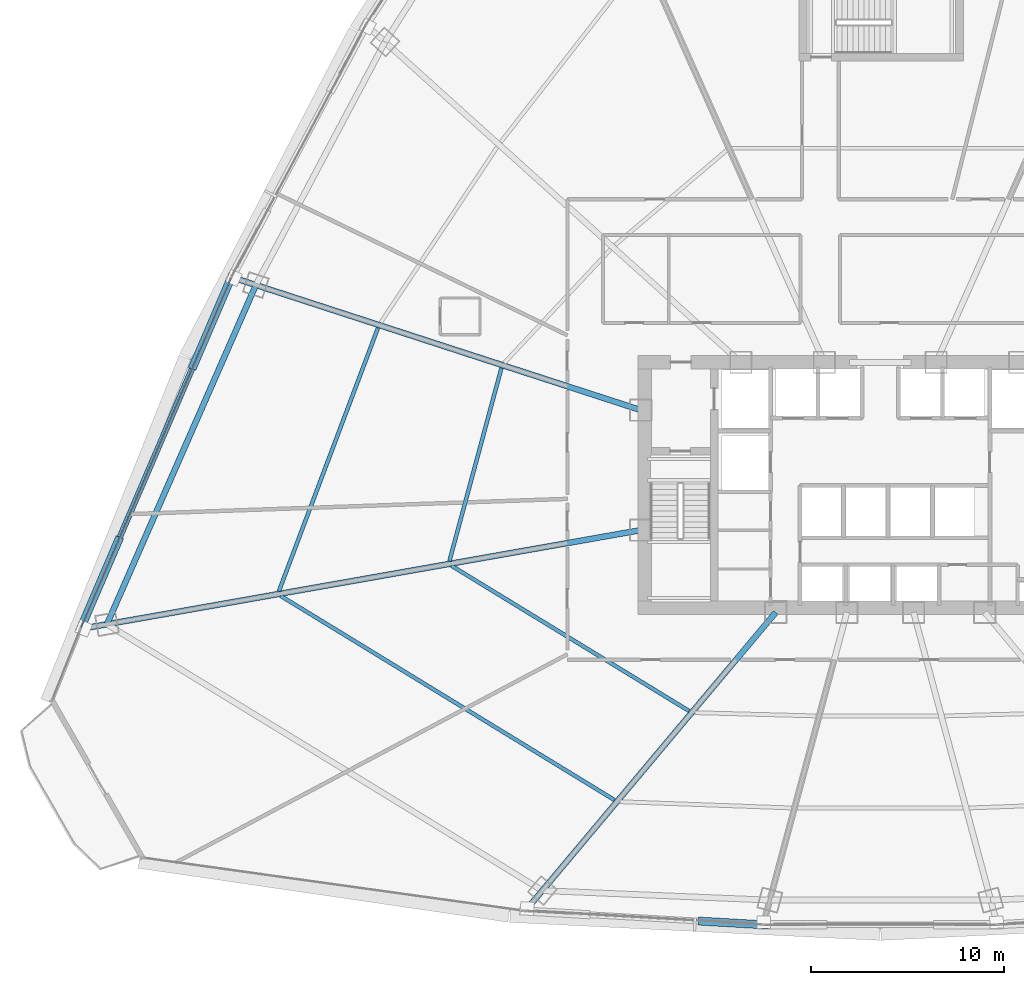
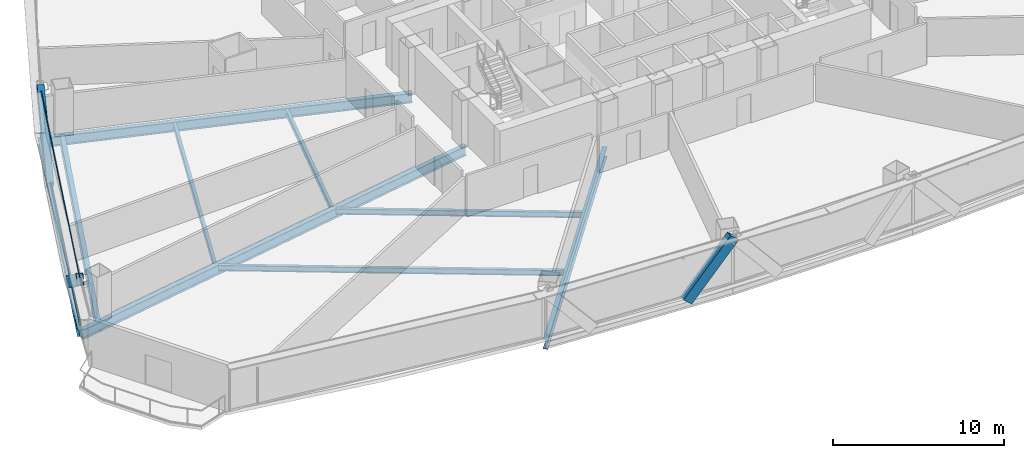
# One storey, part 7 of 37: 9 beams, 5 members, 1 element without a shape of its own.
"""IFC4 building model written with IfcOpenShell, lengths in metres."""

from ifc_helpers import new_model, si_unit, direction, frame, origin, origin_2d, place, context, subcontext, project, spatial, hollow_rectangle, i_section, extrude, source, transform, mapped, material, layer, layer_set, material_profile, profile_set, type_object, element, aggregate, save


model = new_model("IFC4")

# Units and contexts
model_context = context("Model", 3, precision=1e-05, world=origin(), true_north=direction((0.0, 1.0)))
body_context = subcontext(model_context, "Body", "Model", "MODEL_VIEW")
ifc_project = project(units=[si_unit("LENGTHUNIT", "METRE"), si_unit("AREAUNIT", "SQUARE_METRE"), si_unit("VOLUMEUNIT", "CUBIC_METRE"), si_unit("PLANEANGLEUNIT", "RADIAN"), si_unit("MASSUNIT", "GRAM", prefix="KILO"), si_unit("THERMODYNAMICTEMPERATUREUNIT", "KELVIN"), si_unit("POWERUNIT", "WATT")], contexts=[model_context])

# Site, building, storey
site_placement = place(None, origin())
site = spatial("IfcSite", under=ifc_project, at=site_placement, CompositionType="ELEMENT")
building_placement = place(site_placement, origin())
building = spatial("IfcBuilding", under=site, at=building_placement, Name="Yunzhuo Pagoda Commons", CompositionType="ELEMENT")
storey_placement = place(building_placement, frame((0.0, 0.0, 59.43994140625)))
storey = spatial("IfcBuildingStorey", under=building, at=storey_placement, Name="L15", CompositionType="ELEMENT", Elevation=59.43994140625)

# Beams
ifc_material_1 = material(Name="Structural steel Q355B", Category="steel")
ifc_material_profile_1 = material_profile(ifc_material_1, i_section(OverallWidth=0.300048828125, OverallDepth=0.699951171875, WebThickness=0.012939453125, FlangeThickness=0.02392578125, at=origin_2d()), Name="Structural steel Q355B")
ifc_profile_set_1 = profile_set([ifc_material_profile_1], Name="Structural steel Q355B")
beam_type_1 = type_object("IfcBeamType", Name="B-RG1 Beam HN 700x300x13x24", PredefinedType="BEAM", material=ifc_profile_set_1)
shared_shape_1 = source(origin(), body_context, "Body", "SweptSolid", [
    extrude(i_section(OverallWidth=0.300048828125, OverallDepth=0.699951171875, WebThickness=0.012939453125, FlangeThickness=0.02392578125, at=origin_2d()), origin(), (0.0, 0.0, 1.0), 19.18603515625),
])
beam_1_placement = place(storey_placement, frame((15.66455078125, 44.206298828125, -0.60986328125), z_axis=(-0.40196534204, -0.915654882474, 0.0), x_axis=(0.915654882474, -0.40196534204, 0.0)))
element("IfcBeam", 1, at=beam_1_placement, inside=storey, type_object=beam_type_1, Name="L15 column-ring beam 11", PredefinedType="BEAM", context=body_context, shape_type="MappedRepresentation", body=[
    mapped(shared_shape_1, transform((0.0, 0.0, 0.0), scale=1.0)),
])
ifc_material_profile_2 = material_profile(ifc_material_1, i_section(OverallWidth=0.199951171875, OverallDepth=0.39990234375, WebThickness=0.008056640625, FlangeThickness=0.012939453125, at=origin_2d()), Name="Structural steel Q355B")
ifc_profile_set_2 = profile_set([ifc_material_profile_2], Name="Structural steel Q355B")
beam_type_2 = type_object("IfcBeamType", Name="B-JS1 Joist HN 400x200x8x13", PredefinedType="JOIST", material=ifc_profile_set_2)
shared_shape_2 = source(origin(), body_context, "Body", "SweptSolid", [
    extrude(i_section(OverallWidth=0.199951171875, OverallDepth=0.39990234375, WebThickness=0.008056640625, FlangeThickness=0.012939453125, at=origin_2d()), origin(), (0.0, 0.0, 1.0), 14.4365234375),
])
beam_2_placement = place(storey_placement, frame((25.782470703125, 29.675537109375, -0.459716796875), z_axis=(0.85325633277, -0.521491735876, 0.0), x_axis=(0.521491735876, 0.85325633277, 0.0)))
element("IfcBeam", 2, at=beam_2_placement, inside=storey, type_object=beam_type_2, Name="L15 composite ring joist 1.12", PredefinedType="JOIST", context=body_context, shape_type="MappedRepresentation", body=[
    mapped(shared_shape_2, transform((0.0, 0.0, 0.0), scale=1.0)),
])
shared_shape_3 = source(origin(), body_context, "Body", "SweptSolid", [
    extrude(i_section(OverallWidth=0.199951171875, OverallDepth=0.39990234375, WebThickness=0.008056640625, FlangeThickness=0.012939453125, at=origin_2d()), origin(), (0.0, 0.0, 1.0), 20.275634765625),
])
beam_3_placement = place(storey_placement, frame((16.935302734375, 28.11572265625, -0.459716796875), z_axis=(0.853102898066, -0.521742700295, 0.0), x_axis=(0.521742700295, 0.853102898066, 0.0)))
element("IfcBeam", 3, at=beam_3_placement, inside=storey, type_object=beam_type_2, Name="L15 composite ring joist 2.12", PredefinedType="JOIST", context=body_context, shape_type="MappedRepresentation", body=[
    mapped(shared_shape_3, transform((0.0, 0.0, 0.0), scale=1.0)),
])
shared_shape_4 = source(origin(), body_context, "Body", "SweptSolid", [
    extrude(i_section(OverallWidth=0.199951171875, OverallDepth=0.39990234375, WebThickness=0.008056640625, FlangeThickness=0.012939453125, at=origin_2d()), origin(), (0.0, 0.0, 1.0), 10.351806640625),
])
beam_4_placement = place(storey_placement, frame((28.3818359375, 39.9072265625, -0.459716796875), z_axis=(-0.260208595802, -0.965552425646, 0.0), x_axis=(0.965552425646, -0.260208595802, 0.0)))
element("IfcBeam", 4, at=beam_4_placement, inside=storey, type_object=beam_type_2, Name="L15 composite ring joist 1.11", PredefinedType="JOIST", context=body_context, shape_type="MappedRepresentation", body=[
    mapped(shared_shape_4, transform((0.0, 0.0, 0.0), scale=1.0)),
])
shared_shape_5 = source(origin(), body_context, "Body", "SweptSolid", [
    extrude(i_section(OverallWidth=0.199951171875, OverallDepth=0.39990234375, WebThickness=0.008056640625, FlangeThickness=0.012939453125, at=origin_2d()), origin(), (0.0, 0.0, 1.0), 14.571044921875),
])
beam_5_placement = place(storey_placement, frame((21.98779296875, 41.98486328125, -0.459716796875), z_axis=(-0.352208383632, -0.935921607027, 0.0), x_axis=(0.935921607027, -0.352208383632, 0.0)))
element("IfcBeam", 5, at=beam_5_placement, inside=storey, type_object=beam_type_2, Name="L15 composite ring joist 2.11", PredefinedType="JOIST", context=body_context, shape_type="MappedRepresentation", body=[
    mapped(shared_shape_5, transform((0.0, 0.0, 0.0), scale=1.0)),
])
shared_shape_6 = source(origin(), body_context, "Body", "SweptSolid", [
    extrude(i_section(OverallWidth=0.300048828125, OverallDepth=0.699951171875, WebThickness=0.012939453125, FlangeThickness=0.02392578125, at=origin_2d()), origin(), (0.0, 0.0, 1.0), 20.031005859375),
])
beam_6_placement = place(storey_placement, frame((29.712158203125, 11.9052734375, -0.60986328125), z_axis=(0.642786965849, 0.766044983362, 0.0), x_axis=(-0.766044983362, 0.642786965849, 0.0)))
element("IfcBeam", 6, at=beam_6_placement, inside=storey, type_object=beam_type_1, Name="L15 radial floor girder F1C1", PredefinedType="BEAM", context=body_context, shape_type="MappedRepresentation", body=[
    mapped(shared_shape_6, transform((0.0, 0.0, 0.0), scale=1.0)),
])
shared_shape_7 = source(origin(), body_context, "Body", "SweptSolid", [
    extrude(i_section(OverallWidth=0.300048828125, OverallDepth=0.699951171875, WebThickness=0.012939453125, FlangeThickness=0.02392578125, at=origin_2d()), origin(), (0.0, 0.0, 1.0), 29.313232421875),
])
beam_7_placement = place(storey_placement, frame((6.732177734375, 26.42333984375, -0.60986328125), z_axis=(0.984808367131, 0.173644694792, 0.0), x_axis=(-0.173644694792, 0.984808367131, 0.0)))
element("IfcBeam", 7, at=beam_7_placement, inside=storey, type_object=beam_type_1, Name="L15 radial floor girder F3C4", PredefinedType="BEAM", context=body_context, shape_type="MappedRepresentation", body=[
    mapped(shared_shape_7, transform((0.0, 0.0, 0.0), scale=1.0)),
])
shared_shape_8 = source(origin(), body_context, "Body", "SweptSolid", [
    extrude(i_section(OverallWidth=0.300048828125, OverallDepth=0.699951171875, WebThickness=0.012939453125, FlangeThickness=0.02392578125, at=origin_2d()), origin(), (0.0, 0.0, 1.0), 22.139404296875),
])
beam_8_placement = place(storey_placement, frame((14.54443359375, 44.570556640625, -0.60986328125), z_axis=(0.951054488387, -0.309023235565, 0.0), x_axis=(0.309023235565, 0.951054488387, 0.0)))
element("IfcBeam", 8, at=beam_8_placement, inside=storey, type_object=beam_type_1, Name="L15 radial floor girder F3C3", PredefinedType="BEAM", context=body_context, shape_type="MappedRepresentation", body=[
    mapped(shared_shape_8, transform((0.0, 0.0, 0.0), scale=1.0)),
])
ifc_material_profile_3 = material_profile(ifc_material_1, i_section(OverallWidth=0.300048828125, OverallDepth=0.488037109375, WebThickness=0.010986328125, FlangeThickness=0.01806640625, at=origin_2d()), Name="Structural steel Q355B")
ifc_profile_set_3 = profile_set([ifc_material_profile_3], Name="Structural steel Q355B")
beam_type_3 = type_object("IfcBeamType", Name="B-SP1 Beam HM 488x300x11x18", PredefinedType="BEAM", material=ifc_profile_set_3)
shared_shape_9 = source(origin(), body_context, "Body", "SweptSolid", [
    extrude(i_section(OverallWidth=0.300048828125, OverallDepth=0.488037109375, WebThickness=0.010986328125, FlangeThickness=0.01806640625, at=origin_2d()), origin(), (0.0, 0.0, 1.0), 19.828125),
])
beam_9_placement = place(storey_placement, frame((14.397216796875, 44.618408203125, -0.50390625), z_axis=(-0.394280372783, -0.918990199969, 0.0), x_axis=(0.918990199969, -0.394280372783, 0.0)))
element("IfcBeam", 9, at=beam_9_placement, inside=storey, type_object=beam_type_3, Name="L15 facade edge spandrel beam F3.3", PredefinedType="BEAM", context=body_context, shape_type="MappedRepresentation", body=[
    mapped(shared_shape_9, transform((0.0, 0.0, 0.0), scale=1.0)),
])

# Members
ifc_material_2 = material(Name="Structural steel Q420B", Category="steel")
ifc_material_profile_4 = material_profile(ifc_material_2, hollow_rectangle(XDim=0.419921875, YDim=0.719970703125, WallThickness=0.028076171875, at=origin_2d()), Name="Structural steel Q420B")
ifc_profile_set_4 = profile_set([ifc_material_profile_4], Name="Structural steel Q420B")
member_type_1 = type_object("IfcMemberType", Name="M-DL1 Brace BOX 720x420x28", PredefinedType="BRACE", material=ifc_profile_set_4)
shared_shape_10 = source(origin(), body_context, "Body", "SweptSolid", [
    extrude(hollow_rectangle(XDim=0.419921875, YDim=0.719970703125, WallThickness=0.028076171875, at=origin_2d()), origin(), (0.0, 0.0, 1.0), 4.764892578125),
])
member_1_placement = place(storey_placement, frame((38.856201171875, 11.2529296875, -0.260009765625), z_axis=(0.646670053051, -0.037403465552, 0.7618522319), x_axis=(0.057743598436, 0.998331446384, 0.0)))
element("IfcMember", 10, at=member_1_placement, inside=storey, type_object=member_type_1, Name="L15 facade diamond brace F1.1R", PredefinedType="BRACE", context=body_context, shape_type="MappedRepresentation", body=[
    mapped(shared_shape_10, transform((0.0, 0.0, 0.0), scale=1.0)),
])
shared_shape_11 = source(origin(), body_context, "Body", "SweptSolid", [
    extrude(hollow_rectangle(XDim=0.419921875, YDim=0.719970703125, WallThickness=0.028076171875, at=origin_2d()), origin(), (0.0, 0.0, 1.0), 6.14404296875),
])
member_2_placement = place(storey_placement, frame((8.53369140625, 30.951904296875, -0.260009765625), z_axis=(-0.318088420968, -0.741438082054, 0.590837817786), x_axis=(0.918997208693, -0.394264036421, 0.0)))
element("IfcMember", 11, at=member_2_placement, inside=storey, type_object=member_type_1, Name="L15 facade diamond brace F3.3R", PredefinedType="BRACE", context=body_context, shape_type="MappedRepresentation", body=[
    mapped(shared_shape_11, transform((0.0, 0.0, 0.0), scale=1.0)),
])
shared_shape_12 = source(origin(), body_context, "Body", "SweptSolid", [
    extrude(hollow_rectangle(XDim=0.419921875, YDim=0.719970703125, WallThickness=0.028076171875, at=origin_2d()), origin(), (0.0, 0.0, 1.0), 6.144287109375),
])
member_3_placement = place(storey_placement, frame((12.442626953125, 40.062744140625, -0.260009765625), z_axis=(0.318114763832, 0.741446601688, 0.590812943221), x_axis=(-0.918987019577, 0.39428778557, 0.0)))
element("IfcMember", 12, at=member_3_placement, inside=storey, type_object=member_type_1, Name="L15 facade diamond brace F3.3L", PredefinedType="BRACE", context=body_context, shape_type="MappedRepresentation", body=[
    mapped(shared_shape_12, transform((0.0, 0.0, 0.0), scale=1.0)),
])

# Curtain wall, members
ifc_material_3 = material(Name="Anodized aluminium 6063-T6", Category="aluminium")
ifc_layer = layer(ifc_material_3, 0.1650390625)
ifc_layer_set = layer_set([ifc_layer], Name="Anodized aluminium 6063-T6")
curtain_wall_type = type_object("IfcCurtainWallType", Name="CW-LOW Low-Zone Ribbon Curtain Wall", PredefinedType="NOTDEFINED", material=ifc_layer_set)
curtain_wall_placement = place(storey_placement, origin())
curtain_wall = element("IfcCurtainWall", 13, at=curtain_wall_placement, inside=storey, type_object=curtain_wall_type, Name="L15 curtain wall CW-L15-F3B4", PredefinedType="NOTDEFINED")
ifc_material_profile_5 = material_profile(ifc_material_3, hollow_rectangle(XDim=0.06005859375, YDim=0.139892578125, WallThickness=0.00341796875, at=origin_2d()), Name="Anodized aluminium 6063-T6")
ifc_profile_set_5 = profile_set([ifc_material_profile_5], Name="Anodized aluminium 6063-T6")
member_type_2 = type_object("IfcMemberType", Name="CW-LOW-T Transom RHS 140x60x3.5", PredefinedType="USERDEFINED", material=ifc_profile_set_5)
shared_shape_13 = source(origin(), body_context, "Body", "SweptSolid", [
    extrude(hollow_rectangle(XDim=0.06005859375, YDim=0.139892578125, WallThickness=0.00341796875, at=origin_2d()), origin(), (0.0, 0.0, 1.0), 19.6982421875),
])
member_4_placement = place(storey_placement, frame((14.37158203125, 44.55859375, 0.030029296875), z_axis=(-0.39426780009, -0.918995594011, 0.0), x_axis=(0.918995594011, -0.39426780009, 0.0)))
member_4 = element("IfcMember", 14, at=member_4_placement, type_object=member_type_2, Name="CW transom 1.1", ObjectType="TRANSOM", PredefinedType="USERDEFINED", context=body_context, shape_type="MappedRepresentation", body=[
    mapped(shared_shape_13, transform((0.0, 0.0, 0.0), scale=1.0)),
])
member_5_placement = place(storey_placement, frame((14.37158203125, 44.55859375, 3.340087890625), z_axis=(-0.39426780009, -0.918995594011, 0.0), x_axis=(0.918995594011, -0.39426780009, 0.0)))
member_5 = element("IfcMember", 15, at=member_5_placement, type_object=member_type_2, Name="CW transom 1.2", ObjectType="TRANSOM", PredefinedType="USERDEFINED", context=body_context, shape_type="MappedRepresentation", body=[
    mapped(shared_shape_13, transform((0.0, 0.0, 0.0), scale=1.0)),
])
aggregate(curtain_wall, [member_4, member_5])

save(model, "model.ifc")
